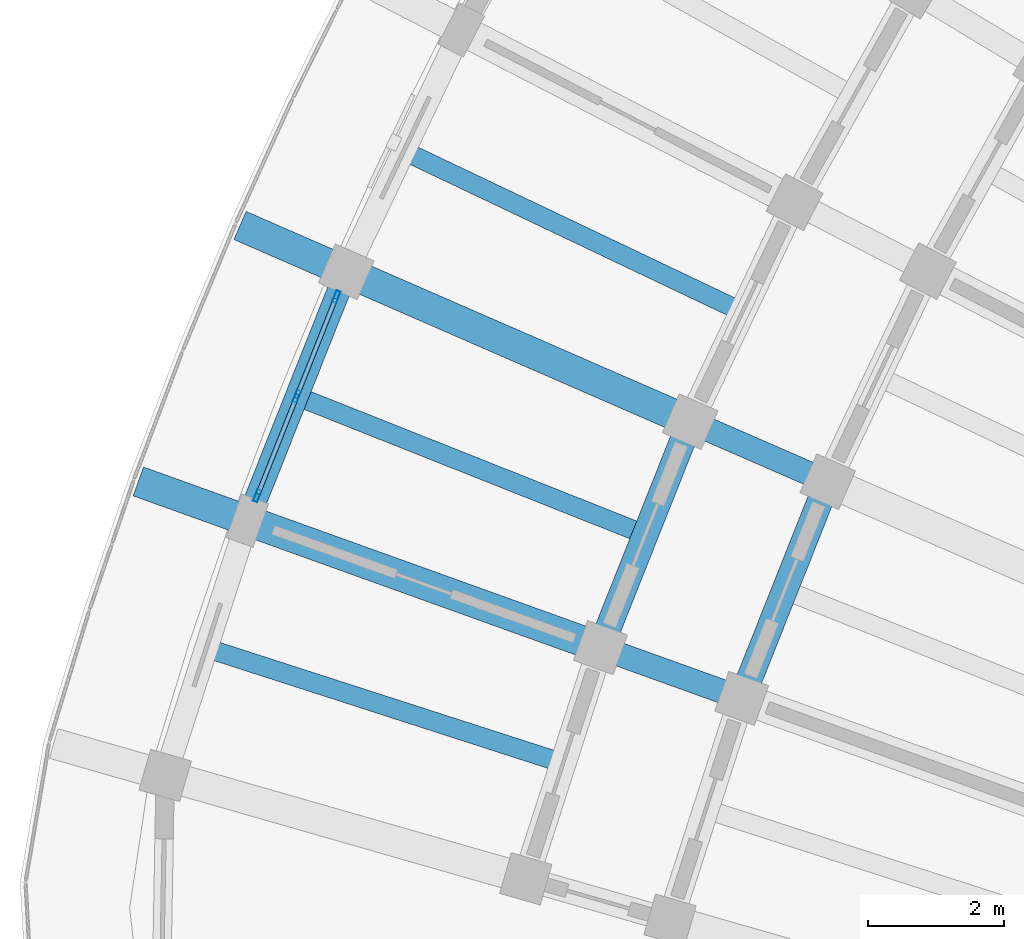
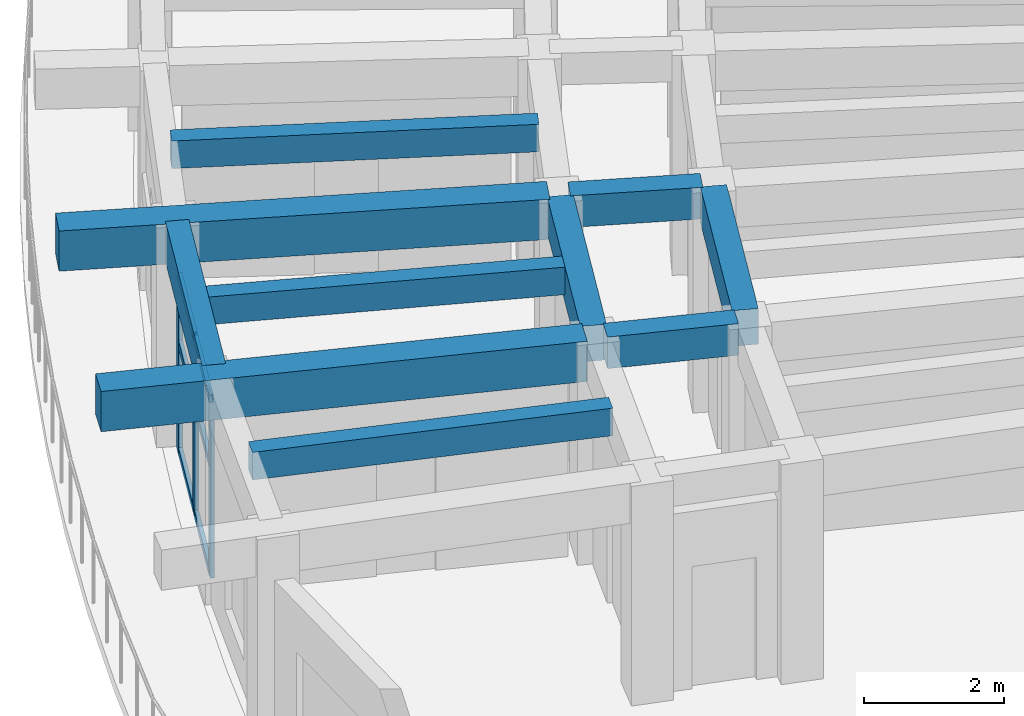
# One storey, part 36 of 128: 10 beams, 9 members, 1 element without a shape of its own.
"""IFC4 building model written with IfcOpenShell, lengths in metres."""

from ifc_helpers import new_model, si_unit, direction, frame, origin, origin_2d, place, context, subcontext, project, spatial, rectangle, hollow_rectangle, extrude, material, material_profile, profile_set, type_object, element, aggregate, save


model = new_model("IFC4")

# Units and contexts
model_context = context("Model", 3, precision=1e-05, world=origin(), true_north=direction((0.0, 1.0)))
body_context = subcontext(model_context, "Body", "Model", "MODEL_VIEW")
ifc_project = project(units=[si_unit("LENGTHUNIT", "METRE"), si_unit("AREAUNIT", "SQUARE_METRE"), si_unit("VOLUMEUNIT", "CUBIC_METRE"), si_unit("PLANEANGLEUNIT", "RADIAN"), si_unit("MASSUNIT", "GRAM", prefix="KILO")], contexts=[model_context])

# Site, building, storey
site_placement = place(None, origin())
site = spatial("IfcSite", under=ifc_project, at=site_placement, CompositionType="ELEMENT")
building_placement = place(site_placement, origin())
building = spatial("IfcBuilding", under=site, at=building_placement, Name="Tanwirah Colonnade Gardens", CompositionType="ELEMENT")
storey_placement = place(building_placement, frame((0.0, 0.0, 4.760009765625)))
storey = spatial("IfcBuildingStorey", under=building, at=storey_placement, Name="L01", CompositionType="ELEMENT", Elevation=4.760009765625)

# Beams
ifc_material_1 = material(Name="Precast concrete C40/50", Category="concrete")
ifc_material_profile_1 = material_profile(ifc_material_1, rectangle(XDim=0.35009765625, YDim=0.550048828125, at=origin_2d()), Name="PC-BM 350x550")
ifc_profile_set_1 = profile_set([ifc_material_profile_1], Name="Precast concrete C40/50")
beam_type_1 = type_object("IfcBeamType", Name="BM-PC350A", PredefinedType="BEAM", material=ifc_profile_set_1)
for number, where, z_axis, x_axis, name in (
    (1, (17.3330078125, 80.981201171875, 3.550048828125), (-0.916681481826, 0.399618644306, 0.0), (-0.399618644306, -0.916681481826, 0.0), "Block A L01 Corridor Tie Beam 16"),
    (2, (16.0673828125, 77.79541015625, 3.550048828125), (-0.941021664552, 0.338346311999, 0.0), (-0.338346311999, -0.941021664552, 0.0), "Block A L01 Corridor Tie Beam 17"),
):
    element("IfcBeam", number, at=place(storey_placement, frame(where, z_axis=z_axis, x_axis=x_axis)), inside=storey, type_object=beam_type_1, Name=name, PredefinedType="BEAM", context=body_context, shape_type="SweptSolid", body=[
        extrude(rectangle(XDim=0.35009765625, YDim=0.550048828125, at=origin_2d()), origin(), (0.0, 0.0, 1.0), 1.89990234375),
    ])
ifc_material_profile_2 = material_profile(ifc_material_1, rectangle(XDim=0.3798828125, YDim=0.6201171875, at=origin_2d()), Name="PC-BM 380x620")
ifc_profile_set_2 = profile_set([ifc_material_profile_2], Name="Precast concrete C40/50")
beam_type_2 = type_object("IfcBeamType", Name="BM-PC380", PredefinedType="BEAM", material=ifc_profile_set_2)
beam_1_placement = place(storey_placement, frame((17.4150390625, 80.78173828125, 3.514892578125), z_axis=(-0.369189105832, -0.929354294193, 0.0), x_axis=(0.929354294193, -0.369189105832, 0.0)))
element("IfcBeam", 3, at=beam_1_placement, inside=storey, type_object=beam_type_2, Name="Block A L01 Circumferential Beam 16-R1", PredefinedType="BEAM", context=body_context, shape_type="SweptSolid", body=[
    extrude(rectangle(XDim=0.3798828125, YDim=0.6201171875, at=origin_2d()), origin(), (0.0, 0.0, 1.0), 3.117919921875),
])
beam_2_placement = place(storey_placement, frame((15.3984375, 81.6611328125, 3.514892578125), z_axis=(-0.369209712056, -0.929346108037, 0.0), x_axis=(0.929346108037, -0.369209712056, 0.0)))
element("IfcBeam", 4, at=beam_2_placement, inside=storey, type_object=beam_type_2, Name="Block A L01 Circumferential Beam 16-R2", PredefinedType="BEAM", context=body_context, shape_type="SweptSolid", body=[
    extrude(rectangle(XDim=0.3798828125, YDim=0.6201171875, at=origin_2d()), origin(), (0.0, 0.0, 1.0), 3.26318359375),
])
ifc_material_2 = material(Name="Precast concrete C45/55", Category="concrete")
ifc_material_profile_3 = material_profile(ifc_material_2, rectangle(XDim=0.449951171875, YDim=0.699951171875, at=origin_2d()), Name="PC-BM 450x700")
ifc_profile_set_3 = profile_set([ifc_material_profile_3], Name="Precast concrete C45/55")
beam_type_3 = type_object("IfcBeamType", Name="BM-PC450", PredefinedType="BEAM", material=ifc_profile_set_3)
beam_3_placement = place(storey_placement, frame((15.31640625, 81.8603515625, 3.47509765625), z_axis=(-0.916678725612, 0.399624966702, 0.0), x_axis=(-0.399624966702, -0.916678725612, 0.0)))
element("IfcBeam", 5, at=beam_3_placement, inside=storey, type_object=beam_type_3, Name="Block A L01 Outer Radial Precast Girder 16", PredefinedType="BEAM", context=body_context, shape_type="SweptSolid", body=[
    extrude(rectangle(XDim=0.449951171875, YDim=0.699951171875, at=origin_2d()), origin(), (0.0, 0.0, 1.0), 7.050048828125),
])
beam_4_placement = place(storey_placement, frame((13.9970703125, 78.539794921875, 3.47509765625), z_axis=(-0.941011841171, 0.338373631917, 0.0), x_axis=(-0.338373631917, -0.941011841171, 0.0)))
element("IfcBeam", 6, at=beam_4_placement, inside=storey, type_object=beam_type_3, Name="Block A L01 Outer Radial Precast Girder 17", PredefinedType="BEAM", context=body_context, shape_type="SweptSolid", body=[
    extrude(rectangle(XDim=0.449951171875, YDim=0.699951171875, at=origin_2d()), origin(), (0.0, 0.0, 1.0), 7.0498046875),
])

# Curtain wall, members
ifc_material_3 = material(Name="Bronze-anodised aluminium and solar-control low-E glass", Category="aluminium")
curtain_wall_type = type_object("IfcCurtainWallType", Name="CW-LOB", PredefinedType="NOTDEFINED", material=ifc_material_3)
curtain_wall_placement = place(storey_placement, origin())
curtain_wall = element("IfcCurtainWall", 7, at=curtain_wall_placement, inside=storey, type_object=curtain_wall_type, Name="Curtain Wall CW-A-L01-OUT-16", PredefinedType="NOTDEFINED")
ifc_material_4 = material(Name="Bronze-anodised aluminium", Category="aluminium")
ifc_material_profile_4 = material_profile(ifc_material_4, hollow_rectangle(XDim=0.06494140625, YDim=0.179931640625, WallThickness=0.00390625, at=origin_2d()), Name="CW-MUL 65x180x4")
ifc_profile_set_4 = profile_set([ifc_material_profile_4], Name="Bronze-anodised aluminium")
member_type_1 = type_object("IfcMemberType", Name="CWM-65x180", PredefinedType="MULLION", material=ifc_profile_set_4)
member_1_placement = place(storey_placement, frame((10.26708984375, 83.6337890625, 0.0), z_axis=(0.0, 0.0, 1.0), x_axis=(0.929346924976, -0.369207655713, 0.0)))
member_1 = element("IfcMember", 8, at=member_1_placement, type_object=member_type_1, Name="CW-LOB mullion 1", PredefinedType="MULLION", context=body_context, shape_type="SweptSolid", body=[
    extrude(hollow_rectangle(XDim=0.06494140625, YDim=0.179931640625, WallThickness=0.00390625, at=origin_2d()), origin(), (0.0, 0.0, 1.0), 3.074951171875),
])
member_2_placement = place(storey_placement, frame((9.6875, 82.17431640625, 0.0), z_axis=(0.0, 0.0, 1.0), x_axis=(0.929346924976, -0.369207655713, 0.0)))
member_2 = element("IfcMember", 9, at=member_2_placement, type_object=member_type_1, Name="CW-LOB mullion 2", PredefinedType="MULLION", context=body_context, shape_type="SweptSolid", body=[
    extrude(hollow_rectangle(XDim=0.06494140625, YDim=0.179931640625, WallThickness=0.00390625, at=origin_2d()), origin(), (0.0, 0.0, 1.0), 3.074951171875),
])
member_3_placement = place(storey_placement, frame((9.107666015625, 80.71484375, 0.0), z_axis=(0.0, 0.0, 1.0), x_axis=(0.929346924976, -0.369207655713, 0.0)))
member_3 = element("IfcMember", 10, at=member_3_placement, type_object=member_type_1, Name="CW-LOB mullion 3", PredefinedType="MULLION", context=body_context, shape_type="SweptSolid", body=[
    extrude(hollow_rectangle(XDim=0.06494140625, YDim=0.179931640625, WallThickness=0.00390625, at=origin_2d()), origin(), (0.0, 0.0, 1.0), 3.074951171875),
])
ifc_material_profile_5 = material_profile(ifc_material_4, hollow_rectangle(XDim=0.06494140625, YDim=0.135009765625, WallThickness=0.00390625, at=origin_2d()), Name="CW-TRN 65x135x4")
ifc_profile_set_5 = profile_set([ifc_material_profile_5], Name="Bronze-anodised aluminium")
member_type_2 = type_object("IfcMemberType", Name="CWT-65x135", PredefinedType="USERDEFINED", material=ifc_profile_set_5)
member_4_placement = place(storey_placement, frame((10.255126953125, 83.603515625, 0.032470703125), z_axis=(-0.369152446307, -0.929368856475, 0.0), x_axis=(0.929368856475, -0.369152446307, 0.0)))
member_4 = element("IfcMember", 11, at=member_4_placement, type_object=member_type_2, Name="CW-LOB transom 1.1", ObjectType="TRANSOM", PredefinedType="USERDEFINED", context=body_context, shape_type="SweptSolid", body=[
    extrude(hollow_rectangle(XDim=0.06494140625, YDim=0.135009765625, WallThickness=0.00390625, at=origin_2d()), origin(), (0.0, 0.0, 1.0), 1.505126953125),
])
member_5_placement = place(storey_placement, frame((10.255126953125, 83.603515625, 1.906494140625), z_axis=(-0.369152446307, -0.929368856475, 0.0), x_axis=(0.929368856475, -0.369152446307, 0.0)))
member_5 = element("IfcMember", 12, at=member_5_placement, type_object=member_type_2, Name="CW-LOB transom 1.2", ObjectType="TRANSOM", PredefinedType="USERDEFINED", context=body_context, shape_type="SweptSolid", body=[
    extrude(hollow_rectangle(XDim=0.06494140625, YDim=0.135009765625, WallThickness=0.00390625, at=origin_2d()), origin(), (0.0, 0.0, 1.0), 1.505126953125),
])
member_6_placement = place(storey_placement, frame((10.255126953125, 83.603515625, 3.04248046875), z_axis=(-0.369152446307, -0.929368856475, 0.0), x_axis=(0.929368856475, -0.369152446307, 0.0)))
member_6 = element("IfcMember", 13, at=member_6_placement, type_object=member_type_2, Name="CW-LOB transom 1.3", ObjectType="TRANSOM", PredefinedType="USERDEFINED", context=body_context, shape_type="SweptSolid", body=[
    extrude(hollow_rectangle(XDim=0.06494140625, YDim=0.135009765625, WallThickness=0.00390625, at=origin_2d()), origin(), (0.0, 0.0, 1.0), 1.505126953125),
])
member_7_placement = place(storey_placement, frame((9.675537109375, 82.14404296875, 0.032470703125), z_axis=(-0.369292524559, -0.929313204095, 0.0), x_axis=(0.929313204095, -0.369292524559, 0.0)))
member_7 = element("IfcMember", 14, at=member_7_placement, type_object=member_type_2, Name="CW-LOB transom 2.1", ObjectType="TRANSOM", PredefinedType="USERDEFINED", context=body_context, shape_type="SweptSolid", body=[
    extrude(hollow_rectangle(XDim=0.06494140625, YDim=0.135009765625, WallThickness=0.00390625, at=origin_2d()), origin(), (0.0, 0.0, 1.0), 1.50537109375),
])
member_8_placement = place(storey_placement, frame((9.675537109375, 82.14404296875, 1.906494140625), z_axis=(-0.369292524559, -0.929313204095, 0.0), x_axis=(0.929313204095, -0.369292524559, 0.0)))
member_8 = element("IfcMember", 15, at=member_8_placement, type_object=member_type_2, Name="CW-LOB transom 2.2", ObjectType="TRANSOM", PredefinedType="USERDEFINED", context=body_context, shape_type="SweptSolid", body=[
    extrude(hollow_rectangle(XDim=0.06494140625, YDim=0.135009765625, WallThickness=0.00390625, at=origin_2d()), origin(), (0.0, 0.0, 1.0), 1.50537109375),
])
member_9_placement = place(storey_placement, frame((9.675537109375, 82.14404296875, 3.04248046875), z_axis=(-0.369292524559, -0.929313204095, 0.0), x_axis=(0.929313204095, -0.369292524559, 0.0)))
member_9 = element("IfcMember", 16, at=member_9_placement, type_object=member_type_2, Name="CW-LOB transom 2.3", ObjectType="TRANSOM", PredefinedType="USERDEFINED", context=body_context, shape_type="SweptSolid", body=[
    extrude(hollow_rectangle(XDim=0.06494140625, YDim=0.135009765625, WallThickness=0.00390625, at=origin_2d()), origin(), (0.0, 0.0, 1.0), 1.50537109375),
])
aggregate(curtain_wall, [member_1, member_2, member_3, member_4, member_5, member_6, member_7, member_8, member_9])

# Beams
ifc_material_profile_6 = material_profile(ifc_material_1, rectangle(XDim=0.280029296875, YDim=0.47998046875, at=origin_2d()), Name="PC-JST 280x480")
ifc_profile_set_6 = profile_set([ifc_material_profile_6], Name="Precast concrete C40/50")
beam_type_4 = type_object("IfcBeamType", Name="JST-PC280", PredefinedType="JOIST", material=ifc_profile_set_6)
beam_5_placement = place(storey_placement, frame((16.08447265625, 83.473388671875, 3.5849609375), z_axis=(-0.903018314862, 0.429602051931, 0.0), x_axis=(-0.429602051931, -0.903018314862, 0.0)))
element("IfcBeam", 17, at=beam_5_placement, inside=storey, type_object=beam_type_4, Name="Block A L01 Precast Floor Joist 15", PredefinedType="JOIST", context=body_context, shape_type="SweptSolid", body=[
    extrude(rectangle(XDim=0.280029296875, YDim=0.47998046875, at=origin_2d()), origin(), (0.0, 0.0, 1.0), 5.26025390625),
])
beam_6_placement = place(storey_placement, frame((14.6572265625, 80.199951171875, 3.5849609375), z_axis=(-0.929357539836, 0.369180935517, 0.0), x_axis=(-0.369180935517, -0.929357539836, 0.0)))
element("IfcBeam", 18, at=beam_6_placement, inside=storey, type_object=beam_type_4, Name="Block A L01 Precast Floor Joist 16", PredefinedType="JOIST", context=body_context, shape_type="SweptSolid", body=[
    extrude(rectangle(XDim=0.280029296875, YDim=0.47998046875, at=origin_2d()), origin(), (0.0, 0.0, 1.0), 5.260009765625),
])
beam_7_placement = place(storey_placement, frame((13.448974609375, 76.839599609375, 3.5849609375), z_axis=(-0.951656985441, 0.307162794072, 0.0), x_axis=(-0.307162794072, -0.951656985441, 0.0)))
element("IfcBeam", 19, at=beam_7_placement, inside=storey, type_object=beam_type_4, Name="Block A L01 Precast Floor Joist 17", PredefinedType="JOIST", context=body_context, shape_type="SweptSolid", body=[
    extrude(rectangle(XDim=0.280029296875, YDim=0.47998046875, at=origin_2d()), origin(), (0.0, 0.0, 1.0), 5.26025390625),
])
ifc_material_profile_7 = material_profile(ifc_material_2, rectangle(XDim=0.340087890625, YDim=0.699951171875, at=origin_2d()), Name="PC-SP 340x700")
ifc_profile_set_7 = profile_set([ifc_material_profile_7], Name="Precast concrete C45/55")
beam_type_5 = type_object("IfcBeamType", Name="SP-PC340", PredefinedType="SPANDREL", material=ifc_profile_set_7)
beam_8_placement = place(storey_placement, frame((10.356689453125, 83.859130859375, 3.47509765625), z_axis=(-0.369195460985, -0.929351769562, 0.0), x_axis=(0.929351769562, -0.369195460985, 0.0)))
element("IfcBeam", 20, at=beam_8_placement, inside=storey, type_object=beam_type_5, Name="Block A L01 Circumferential Beam 16-R3", PredefinedType="SPANDREL", context=body_context, shape_type="SweptSolid", body=[
    extrude(rectangle(XDim=0.340087890625, YDim=0.699951171875, at=origin_2d()), origin(), (0.0, 0.0, 1.0), 3.625732421875),
])

save(model, "model.ifc")
